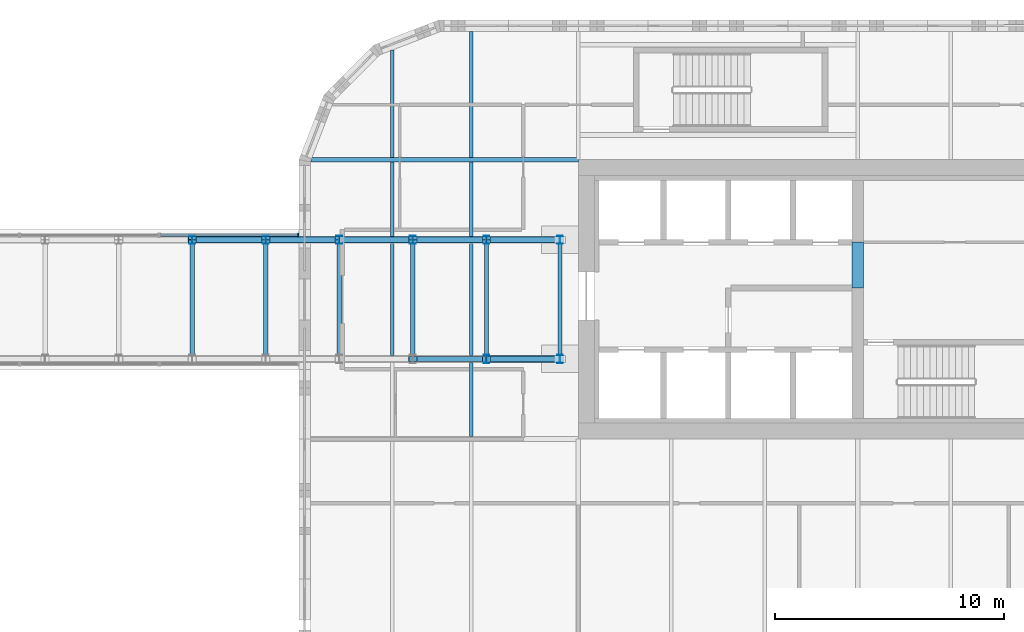
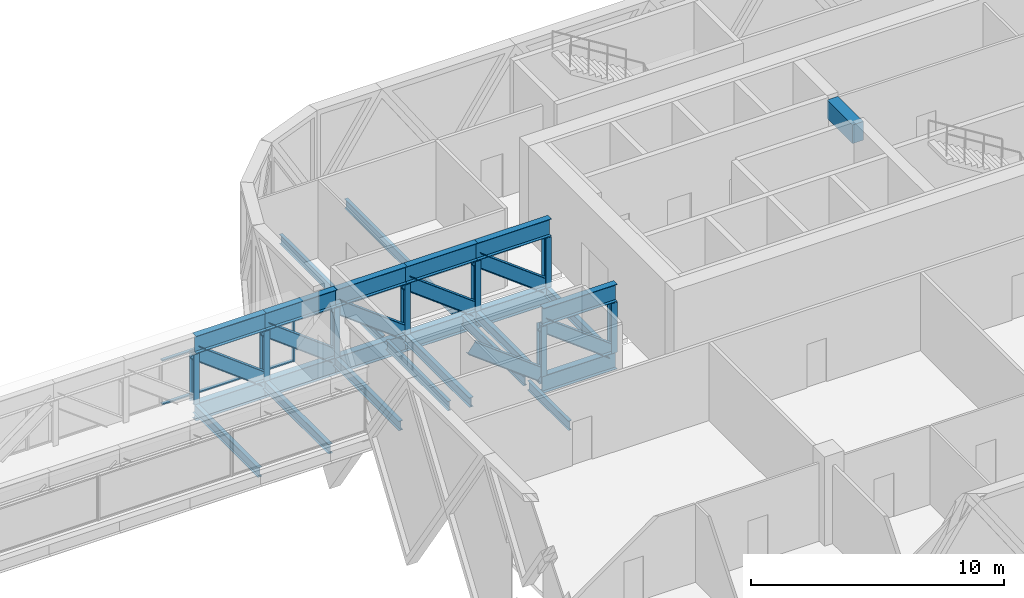
# One storey, part 6 of 30: 27 beams, 18 members, 1 element without a shape of its own.
"""IFC4 building model written with IfcOpenShell, lengths in metres."""

from ifc_helpers import new_model, si_unit, direction, frame, origin, origin_2d, place, context, subcontext, project, spatial, rectangle, i_section, extrude, material, material_profile, profile_set, type_object, element, aggregate, save


model = new_model("IFC4")

# Units and contexts
model_context = context("Model", 3, precision=1e-05, world=origin(), true_north=direction((0.0, 1.0)))
body_context = subcontext(model_context, "Body", "Model", "MODEL_VIEW")
ifc_project = project(units=[si_unit("LENGTHUNIT", "METRE"), si_unit("AREAUNIT", "SQUARE_METRE"), si_unit("VOLUMEUNIT", "CUBIC_METRE"), si_unit("PLANEANGLEUNIT", "RADIAN"), si_unit("MASSUNIT", "GRAM", prefix="KILO")], contexts=[model_context])

# Site, building, storey
site_placement = place(None, origin())
site = spatial("IfcSite", under=ifc_project, at=site_placement, CompositionType="ELEMENT")
building_placement = place(site_placement, origin())
building = spatial("IfcBuilding", under=site, at=building_placement, Name="Tessera Gate Towers", CompositionType="ELEMENT")
storey_placement = place(building_placement, frame((0.0, 0.0, 21.300048828125)))
storey = spatial("IfcBuildingStorey", under=building, at=storey_placement, Name="L04", CompositionType="ELEMENT", Elevation=21.300048828125)

# Members
ifc_material_1 = material(Name="Steel 350W", Category="steel")
ifc_material_profile_1 = material_profile(ifc_material_1, i_section(OverallWidth=0.22802734375, OverallDepth=0.60302734375, WebThickness=0.010498046875, FlangeThickness=0.014892578125, at=origin_2d()), Name="W610x101")
ifc_profile_set_1 = profile_set([ifc_material_profile_1], Name="Steel 350W")
member_type_1 = type_object("IfcMemberType", Name="BRIDGE BRACE W610x101", PredefinedType="BRACE", material=ifc_profile_set_1)
member_1_placement = place(storey_placement, frame((93.58837890625, 40.10009765625, -0.25), z_axis=(-0.79880348703, 0.0, 0.601592045416), x_axis=(0.0, -1.0, 0.0)))
element("IfcMember", 1, at=member_1_placement, inside=storey, type_object=member_type_1, Name="BR1 bridge truss G1 brace D12", PredefinedType="BRACE", context=body_context, shape_type="SweptSolid", body=[
    extrude(i_section(OverallWidth=0.22802734375, OverallDepth=0.60302734375, WebThickness=0.010498046875, FlangeThickness=0.014892578125, at=origin_2d()), origin(), (0.0, 0.0, 1.0), 4.02099609375),
])
member_2_placement = place(storey_placement, frame((96.800048828125, 40.10009765625, -0.25), z_axis=(-0.798781510868, 0.0, 0.601621224605), x_axis=(0.0, -1.0, 0.0)))
element("IfcMember", 2, at=member_2_placement, inside=storey, type_object=member_type_1, Name="BR1 bridge truss G1 brace D13", PredefinedType="BRACE", context=body_context, shape_type="SweptSolid", body=[
    extrude(i_section(OverallWidth=0.22802734375, OverallDepth=0.60302734375, WebThickness=0.010498046875, FlangeThickness=0.014892578125, at=origin_2d()), origin(), (0.0, 0.0, 1.0), 4.020751953125),
])
member_3_placement = place(storey_placement, frame((83.953125, 45.300048828125, -0.25), z_axis=(-0.79880348703, 0.0, 0.601592045416), x_axis=(0.0, -1.0, 0.0)))
element("IfcMember", 3, at=member_3_placement, inside=storey, type_object=member_type_1, Name="BR1 bridge truss G2 brace D9", PredefinedType="BRACE", context=body_context, shape_type="SweptSolid", body=[
    extrude(i_section(OverallWidth=0.22802734375, OverallDepth=0.60302734375, WebThickness=0.010498046875, FlangeThickness=0.014892578125, at=origin_2d()), origin(), (0.0, 0.0, 1.0), 4.02099609375),
])
for number, where, z_axis, x_axis, name in (
    (4, (87.164794921875, 45.300048828125, -0.25), (-0.798781510868, 0.0, 0.601621224605), (0.0, -1.0, 0.0), "BR1 bridge truss G2 brace D10"),
    (5, (90.37646484375, 45.300048828125, -0.25), (-0.798781510868, 0.0, 0.601621224605), (0.0, -1.0, 0.0), "BR1 bridge truss G2 brace D11"),
):
    element("IfcMember", number, at=place(storey_placement, frame(where, z_axis=z_axis, x_axis=x_axis)), inside=storey, type_object=member_type_1, Name=name, PredefinedType="BRACE", context=body_context, shape_type="SweptSolid", body=[
        extrude(i_section(OverallWidth=0.22802734375, OverallDepth=0.60302734375, WebThickness=0.010498046875, FlangeThickness=0.014892578125, at=origin_2d()), origin(), (0.0, 0.0, 1.0), 4.020751953125),
    ])
member_4_placement = place(storey_placement, frame((93.58837890625, 45.300048828125, -0.25), z_axis=(-0.79880348703, 0.0, 0.601592045416), x_axis=(0.0, -1.0, 0.0)))
element("IfcMember", 6, at=member_4_placement, inside=storey, type_object=member_type_1, Name="BR1 bridge truss G2 brace D12", PredefinedType="BRACE", context=body_context, shape_type="SweptSolid", body=[
    extrude(i_section(OverallWidth=0.22802734375, OverallDepth=0.60302734375, WebThickness=0.010498046875, FlangeThickness=0.014892578125, at=origin_2d()), origin(), (0.0, 0.0, 1.0), 4.02099609375),
])
member_5_placement = place(storey_placement, frame((96.800048828125, 45.300048828125, -0.25), z_axis=(-0.798781510868, 0.0, 0.601621224605), x_axis=(0.0, -1.0, 0.0)))
element("IfcMember", 7, at=member_5_placement, inside=storey, type_object=member_type_1, Name="BR1 bridge truss G2 brace D13", PredefinedType="BRACE", context=body_context, shape_type="SweptSolid", body=[
    extrude(i_section(OverallWidth=0.22802734375, OverallDepth=0.60302734375, WebThickness=0.010498046875, FlangeThickness=0.014892578125, at=origin_2d()), origin(), (0.0, 0.0, 1.0), 4.020751953125),
])

# Beams
ifc_material_2 = material(Name="Steel 350W", Category="steel")
ifc_material_profile_2 = material_profile(ifc_material_2, i_section(OverallWidth=0.2919921875, OverallDepth=0.8349609375, WebThickness=0.013916015625, FlangeThickness=0.018798828125, at=origin_2d()), Name="W840x176")
ifc_profile_set_2 = profile_set([ifc_material_profile_2], Name="Steel 350W")
beam_type_1 = type_object("IfcBeamType", Name="BRIDGE CHORD W840x176", PredefinedType="BEAM", material=ifc_profile_set_2)
for number, where, z_axis, x_axis, name in (
    (8, (93.58837890625, 40.10009765625, -0.66748046875), (1.0, 0.0, 0.0), (0.0, 1.0, 0.0), "BR1 bridge truss G1 bottom chord BC13"),
    (9, (93.58837890625, 40.10009765625, 2.58642578125), (1.0, 0.0, 0.0), (0.0, 1.0, 0.0), "BR1 bridge truss G1 top chord TC13"),
):
    element("IfcBeam", number, at=place(storey_placement, frame(where, z_axis=z_axis, x_axis=x_axis)), inside=storey, type_object=beam_type_1, Name=name, PredefinedType="BEAM", context=body_context, shape_type="SweptSolid", body=[
        extrude(i_section(OverallWidth=0.2919921875, OverallDepth=0.8349609375, WebThickness=0.013916015625, FlangeThickness=0.018798828125, at=origin_2d()), origin(), (0.0, 0.0, 1.0), 3.359130859375),
    ])
for number, where, z_axis, x_axis, name in (
    (10, (80.7412109375, 45.300048828125, -0.66748046875), (1.0, 0.0, 0.0), (0.0, 1.0, 0.0), "BR1 bridge truss G2 bottom chord BC9"),
    (11, (80.7412109375, 45.300048828125, 2.58642578125), (1.0, 0.0, 0.0), (0.0, 1.0, 0.0), "BR1 bridge truss G2 top chord TC9"),
):
    element("IfcBeam", number, at=place(storey_placement, frame(where, z_axis=z_axis, x_axis=x_axis)), inside=storey, type_object=beam_type_1, Name=name, PredefinedType="BEAM", context=body_context, shape_type="SweptSolid", body=[
        extrude(i_section(OverallWidth=0.2919921875, OverallDepth=0.8349609375, WebThickness=0.013916015625, FlangeThickness=0.018798828125, at=origin_2d()), origin(), (0.0, 0.0, 1.0), 3.2119140625),
    ])
for number, where, z_axis, x_axis, name in (
    (12, (83.953125, 45.300048828125, -0.66748046875), (1.0, 0.0, 0.0), (0.0, 1.0, 0.0), "BR1 bridge truss G2 bottom chord BC10"),
    (13, (83.953125, 45.300048828125, 2.58642578125), (1.0, 0.0, 0.0), (0.0, 1.0, 0.0), "BR1 bridge truss G2 top chord TC10"),
    (14, (87.164794921875, 45.300048828125, -0.66748046875), (1.0, 0.0, 0.0), (0.0, 1.0, 0.0), "BR1 bridge truss G2 bottom chord BC11"),
    (15, (87.164794921875, 45.300048828125, 2.58642578125), (1.0, 0.0, 0.0), (0.0, 1.0, 0.0), "BR1 bridge truss G2 top chord TC11"),
):
    element("IfcBeam", number, at=place(storey_placement, frame(where, z_axis=z_axis, x_axis=x_axis)), inside=storey, type_object=beam_type_1, Name=name, PredefinedType="BEAM", context=body_context, shape_type="SweptSolid", body=[
        extrude(i_section(OverallWidth=0.2919921875, OverallDepth=0.8349609375, WebThickness=0.013916015625, FlangeThickness=0.018798828125, at=origin_2d()), origin(), (0.0, 0.0, 1.0), 3.211669921875),
    ])
for number, where, z_axis, x_axis, name in (
    (16, (90.37646484375, 45.300048828125, -0.66748046875), (1.0, 0.0, 0.0), (0.0, 1.0, 0.0), "BR1 bridge truss G2 bottom chord BC12"),
    (17, (90.37646484375, 45.300048828125, 2.58642578125), (1.0, 0.0, 0.0), (0.0, 1.0, 0.0), "BR1 bridge truss G2 top chord TC12"),
):
    element("IfcBeam", number, at=place(storey_placement, frame(where, z_axis=z_axis, x_axis=x_axis)), inside=storey, type_object=beam_type_1, Name=name, PredefinedType="BEAM", context=body_context, shape_type="SweptSolid", body=[
        extrude(i_section(OverallWidth=0.2919921875, OverallDepth=0.8349609375, WebThickness=0.013916015625, FlangeThickness=0.018798828125, at=origin_2d()), origin(), (0.0, 0.0, 1.0), 3.2119140625),
    ])
for number, where, z_axis, x_axis, name in (
    (18, (93.58837890625, 45.300048828125, -0.66748046875), (1.0, 0.0, 0.0), (0.0, 1.0, 0.0), "BR1 bridge truss G2 bottom chord BC13"),
    (19, (93.58837890625, 45.300048828125, 2.58642578125), (1.0, 0.0, 0.0), (0.0, 1.0, 0.0), "BR1 bridge truss G2 top chord TC13"),
):
    element("IfcBeam", number, at=place(storey_placement, frame(where, z_axis=z_axis, x_axis=x_axis)), inside=storey, type_object=beam_type_1, Name=name, PredefinedType="BEAM", context=body_context, shape_type="SweptSolid", body=[
        extrude(i_section(OverallWidth=0.2919921875, OverallDepth=0.8349609375, WebThickness=0.013916015625, FlangeThickness=0.018798828125, at=origin_2d()), origin(), (0.0, 0.0, 1.0), 3.359130859375),
    ])
ifc_material_3 = material(Name="Steel 350W", Category="steel")
ifc_material_profile_3 = material_profile(ifc_material_3, i_section(OverallWidth=0.18994140625, OverallDepth=0.45703125, WebThickness=0.009033203125, FlangeThickness=0.014404296875, at=origin_2d()), Name="W460x74")
ifc_profile_set_3 = profile_set([ifc_material_profile_3], Name="Steel 350W")
beam_type_2 = type_object("IfcBeamType", Name="BRIDGE CROSS BEAM W460x74", PredefinedType="BEAM", material=ifc_profile_set_3)
for number, where, z_axis, x_axis, name in (
    (20, (80.7412109375, 40.10693359375, -0.478515625), (0.0, 1.0, 0.0), (-1.0, 0.0, 0.0), "BR1 bridge cross beam X8"),
    (21, (83.953125, 40.10693359375, -0.478515625), (0.0, 1.0, 0.0), (-1.0, 0.0, 0.0), "BR1 bridge cross beam X9"),
    (22, (87.164794921875, 40.10693359375, -0.478515625), (0.0, 1.0, 0.0), (-1.0, 0.0, 0.0), "BR1 bridge cross beam X10"),
    (23, (90.37646484375, 40.10693359375, -0.478515625), (0.0, 1.0, 0.0), (-1.0, 0.0, 0.0), "BR1 bridge cross beam X11"),
    (24, (93.58837890625, 40.10693359375, -0.478515625), (0.0, 1.0, 0.0), (-1.0, 0.0, 0.0), "BR1 bridge cross beam X12"),
    (25, (96.800048828125, 40.10693359375, -0.478515625), (0.0, 1.0, 0.0), (-1.0, 0.0, 0.0), "BR1 bridge cross beam X13"),
):
    element("IfcBeam", number, at=place(storey_placement, frame(where, z_axis=z_axis, x_axis=x_axis)), inside=storey, type_object=beam_type_2, Name=name, PredefinedType="BEAM", context=body_context, shape_type="SweptSolid", body=[
        extrude(i_section(OverallWidth=0.18994140625, OverallDepth=0.45703125, WebThickness=0.009033203125, FlangeThickness=0.014404296875, at=origin_2d()), origin(), (0.0, 0.0, 1.0), 5.18603515625),
    ])

# Members
ifc_material_4 = material(Name="Steel 350W", Category="steel")
ifc_material_profile_4 = material_profile(ifc_material_4, i_section(OverallWidth=0.2548828125, OverallDepth=0.35693359375, WebThickness=0.010498046875, FlangeThickness=0.018310546875, at=origin_2d()), Name="W360x101")
ifc_profile_set_4 = profile_set([ifc_material_profile_4], Name="Steel 350W")
member_type_2 = type_object("IfcMemberType", Name="BRIDGE POST W360x101", PredefinedType="POST", material=ifc_profile_set_4)
for number, where, z_axis, x_axis, name in (
    (26, (93.58837890625, 40.10009765625, -0.25), (0.0, 0.0, 1.0), (1.0, 0.0, 0.0), "BR1 bridge truss G1 post V12"),
    (27, (96.800048828125, 40.10009765625, -0.25), (0.0, 0.0, 1.0), (1.0, 0.0, 0.0), "BR1 bridge truss G1 post V13"),
    (28, (80.7412109375, 45.300048828125, -0.25), (0.0, 0.0, 1.0), (1.0, 0.0, 0.0), "BR1 bridge truss G2 post V8"),
    (29, (83.953125, 45.300048828125, -0.25), (0.0, 0.0, 1.0), (1.0, 0.0, 0.0), "BR1 bridge truss G2 post V9"),
    (30, (87.164794921875, 45.300048828125, -0.25), (0.0, 0.0, 1.0), (1.0, 0.0, 0.0), "BR1 bridge truss G2 post V10"),
    (31, (90.37646484375, 45.300048828125, -0.25), (0.0, 0.0, 1.0), (1.0, 0.0, 0.0), "BR1 bridge truss G2 post V11"),
    (32, (93.58837890625, 45.300048828125, -0.25), (0.0, 0.0, 1.0), (1.0, 0.0, 0.0), "BR1 bridge truss G2 post V12"),
    (33, (96.800048828125, 45.300048828125, -0.25), (0.0, 0.0, 1.0), (1.0, 0.0, 0.0), "BR1 bridge truss G2 post V13"),
):
    element("IfcMember", number, at=place(storey_placement, frame(where, z_axis=z_axis, x_axis=x_axis)), inside=storey, type_object=member_type_2, Name=name, PredefinedType="POST", context=body_context, shape_type="SweptSolid", body=[
        extrude(i_section(OverallWidth=0.2548828125, OverallDepth=0.35693359375, WebThickness=0.010498046875, FlangeThickness=0.018310546875, at=origin_2d()), origin(), (0.0, 0.0, 1.0), 2.4189453125),
    ])

# Beams
ifc_material_5 = material(Name="Concrete C60/75", Category="concrete")
ifc_material_profile_5 = material_profile(ifc_material_5, rectangle(XDim=0.5, YDim=0.89990234375, at=origin_2d()), Name="RC 500x900")
ifc_profile_set_5 = profile_set([ifc_material_profile_5], Name="Concrete C60/75")
beam_type_3 = type_object("IfcBeamType", Name="COUPLING BEAM 500x900 C60/75", PredefinedType="BEAM", material=ifc_profile_set_5)
beam_1_placement = place(storey_placement, frame((109.800048828125, 43.199951171875, 3.849853515625), z_axis=(0.0, 1.0, 0.0), x_axis=(-1.0, 0.0, 0.0)))
element("IfcBeam", 34, at=beam_1_placement, inside=storey, type_object=beam_type_3, Name="L04 coupling beam 1", PredefinedType="BEAM", context=body_context, shape_type="SweptSolid", body=[
    extrude(rectangle(XDim=0.5, YDim=0.89990234375, at=origin_2d()), origin(), (0.0, 0.0, 1.0), 2.0),
])
ifc_material_6 = material(Name="Steel 350W", Category="steel")
ifc_material_profile_6 = material_profile(ifc_material_6, i_section(OverallWidth=0.208984375, OverallDepth=0.532958984375, WebThickness=0.01025390625, FlangeThickness=0.015625, at=origin_2d()), Name="W530x92")
ifc_profile_set_6 = profile_set([ifc_material_profile_6], Name="Steel 350W")
beam_type_4 = type_object("IfcBeamType", Name="FLOOR GIRDER W530x92", PredefinedType="BEAM", material=ifc_profile_set_6)
beam_2_placement = place(storey_placement, frame((85.934814453125, 48.800048828125, -0.466552734375), z_axis=(1.0, 0.0, 0.0), x_axis=(0.0, 1.0, 0.0)))
element("IfcBeam", 35, at=beam_2_placement, inside=storey, type_object=beam_type_4, Name="T2-GD-L04-876", PredefinedType="BEAM", context=body_context, shape_type="SweptSolid", body=[
    extrude(i_section(OverallWidth=0.208984375, OverallDepth=0.532958984375, WebThickness=0.01025390625, FlangeThickness=0.015625, at=origin_2d()), origin(), (0.0, 0.0, 1.0), 11.664306640625),
])
ifc_material_7 = material(Name="Steel 350W", Category="steel")
ifc_material_profile_7 = material_profile(ifc_material_7, i_section(OverallWidth=0.153076171875, OverallDepth=0.455078125, WebThickness=0.008056640625, FlangeThickness=0.01318359375, at=origin_2d()), Name="W460x60")
ifc_profile_set_7 = profile_set([ifc_material_profile_7], Name="Steel 350W")
beam_type_5 = type_object("IfcBeamType", Name="FLOOR SECONDARY W460x60", PredefinedType="BEAM", material=ifc_profile_set_7)
beam_3_placement = place(storey_placement, frame((89.466796875, 45.450927734375, -0.427490234375), z_axis=(0.0, 1.0, 0.0), x_axis=(-1.0, 0.0, 0.0)))
element("IfcBeam", 36, at=beam_3_placement, inside=storey, type_object=beam_type_5, Name="T2-BM-L04-889", PredefinedType="BEAM", context=body_context, shape_type="SweptSolid", body=[
    extrude(i_section(OverallWidth=0.153076171875, OverallDepth=0.455078125, WebThickness=0.008056640625, FlangeThickness=0.01318359375, at=origin_2d()), origin(), (0.0, 0.0, 1.0), 3.24462890625),
])
beam_4_placement = place(storey_placement, frame((89.466796875, 48.904541015625, -0.427490234375), z_axis=(0.0, 1.0, 0.0), x_axis=(-1.0, 0.0, 0.0)))
element("IfcBeam", 37, at=beam_4_placement, inside=storey, type_object=beam_type_5, Name="T2-BM-L04-890", PredefinedType="BEAM", context=body_context, shape_type="SweptSolid", body=[
    extrude(i_section(OverallWidth=0.153076171875, OverallDepth=0.455078125, WebThickness=0.008056640625, FlangeThickness=0.01318359375, at=origin_2d()), origin(), (0.0, 0.0, 1.0), 4.675048828125),
])
beam_5_placement = place(storey_placement, frame((92.916748046875, 36.70458984375, -0.427490234375), z_axis=(0.0, 1.0, 0.0), x_axis=(-1.0, 0.0, 0.0)))
element("IfcBeam", 38, at=beam_5_placement, inside=storey, type_object=beam_type_5, Name="T2-BM-L04-893", PredefinedType="BEAM", context=body_context, shape_type="SweptSolid", body=[
    extrude(i_section(OverallWidth=0.153076171875, OverallDepth=0.455078125, WebThickness=0.008056640625, FlangeThickness=0.01318359375, at=origin_2d()), origin(), (0.0, 0.0, 1.0), 3.244384765625),
])
beam_6_placement = place(storey_placement, frame((92.916748046875, 45.450927734375, -0.427490234375), z_axis=(0.0, 1.0, 0.0), x_axis=(-1.0, 0.0, 0.0)))
element("IfcBeam", 39, at=beam_6_placement, inside=storey, type_object=beam_type_5, Name="T2-BM-L04-894", PredefinedType="BEAM", context=body_context, shape_type="SweptSolid", body=[
    extrude(i_section(OverallWidth=0.153076171875, OverallDepth=0.455078125, WebThickness=0.008056640625, FlangeThickness=0.01318359375, at=origin_2d()), origin(), (0.0, 0.0, 1.0), 3.24462890625),
])
beam_7_placement = place(storey_placement, frame((92.916748046875, 48.904541015625, -0.427490234375), z_axis=(0.0, 1.0, 0.0), x_axis=(-1.0, 0.0, 0.0)))
element("IfcBeam", 40, at=beam_7_placement, inside=storey, type_object=beam_type_5, Name="T2-BM-L04-895", PredefinedType="BEAM", context=body_context, shape_type="SweptSolid", body=[
    extrude(i_section(OverallWidth=0.153076171875, OverallDepth=0.455078125, WebThickness=0.008056640625, FlangeThickness=0.01318359375, at=origin_2d()), origin(), (0.0, 0.0, 1.0), 5.495361328125),
])
for number, where, z_axis, x_axis, name in (
    (41, (89.466796875, 40.2509765625, -0.427490234375), (0.0, 1.0, 0.0), (-1.0, 0.0, 0.0), "T2-BM-L04-917"),
    (42, (92.916748046875, 40.2509765625, -0.427490234375), (0.0, 1.0, 0.0), (-1.0, 0.0, 0.0), "T2-BM-L04-918"),
):
    element("IfcBeam", number, at=place(storey_placement, frame(where, z_axis=z_axis, x_axis=x_axis)), inside=storey, type_object=beam_type_5, Name=name, PredefinedType="BEAM", context=body_context, shape_type="SweptSolid", body=[
        extrude(i_section(OverallWidth=0.153076171875, OverallDepth=0.455078125, WebThickness=0.008056640625, FlangeThickness=0.01318359375, at=origin_2d()), origin(), (0.0, 0.0, 1.0), 4.89794921875),
    ])

# Curtain wall, members
ifc_material_8 = material(Name="Aluminium frame", Category="aluminium")
curtain_wall_type = type_object("IfcCurtainWallType", Name="CW-S5 bridge enclosure", PredefinedType="NOTDEFINED", material=ifc_material_8)
curtain_wall_placement = place(storey_placement, origin())
curtain_wall = element("IfcCurtainWall", 43, at=curtain_wall_placement, inside=storey, type_object=curtain_wall_type, Name="Curtain wall bridge enclosure 0225", PredefinedType="NOTDEFINED")
ifc_material_9 = material(Name="Aluminium frame", Category="aluminium")
ifc_material_profile_8 = material_profile(ifc_material_9, rectangle(XDim=0.06005859375, YDim=0.179931640625, at=origin_2d()), Name="AL 60x180")
ifc_profile_set_8 = profile_set([ifc_material_profile_8], Name="Aluminium frame")
member_type_3 = type_object("IfcMemberType", Name="MU-S5 mullion 60x180", PredefinedType="MULLION", material=ifc_profile_set_8)
member_6_placement = place(storey_placement, frame((85.3701171875, 45.508056640625, 0.0), z_axis=(0.0, 0.0, 1.0), x_axis=(1.0, 0.0, 0.0)))
member_6 = element("IfcMember", 44, at=member_6_placement, type_object=member_type_3, Name="BR1-CW5-0225 mullion 2", PredefinedType="MULLION", context=body_context, shape_type="SweptSolid", body=[
    extrude(rectangle(XDim=0.06005859375, YDim=0.179931640625, at=origin_2d()), origin(), (0.0, 0.0, 1.0), 2.1689453125),
])
ifc_material_10 = material(Name="Aluminium frame", Category="aluminium")
ifc_material_profile_9 = material_profile(ifc_material_10, rectangle(XDim=0.139892578125, YDim=0.06005859375, at=origin_2d()), Name="AL 60x140")
ifc_profile_set_9 = profile_set([ifc_material_profile_9], Name="Aluminium frame")
member_type_4 = type_object("IfcMemberType", Name="TR-S5 transom 60x140", PredefinedType="USERDEFINED", material=ifc_profile_set_9)
member_7_placement = place(storey_placement, frame((79.360107421875, 45.508056640625, 0.030029296875), z_axis=(1.0, 0.0, 0.0), x_axis=(0.0, 1.0, 0.0)))
member_7 = element("IfcMember", 45, at=member_7_placement, type_object=member_type_4, Name="BR1-CW5-0225 transom 1.1", ObjectType="TRANSOM", PredefinedType="USERDEFINED", context=body_context, shape_type="SweptSolid", body=[
    extrude(rectangle(XDim=0.139892578125, YDim=0.06005859375, at=origin_2d()), origin(), (0.0, 0.0, 1.0), 5.97998046875),
])
member_8_placement = place(storey_placement, frame((79.360107421875, 45.508056640625, 2.138916015625), z_axis=(1.0, 0.0, 0.0), x_axis=(0.0, 1.0, 0.0)))
member_8 = element("IfcMember", 46, at=member_8_placement, type_object=member_type_4, Name="BR1-CW5-0225 transom 1.2", ObjectType="TRANSOM", PredefinedType="USERDEFINED", context=body_context, shape_type="SweptSolid", body=[
    extrude(rectangle(XDim=0.139892578125, YDim=0.06005859375, at=origin_2d()), origin(), (0.0, 0.0, 1.0), 5.97998046875),
])
aggregate(curtain_wall, [member_6, member_7, member_8])

save(model, "model.ifc")
